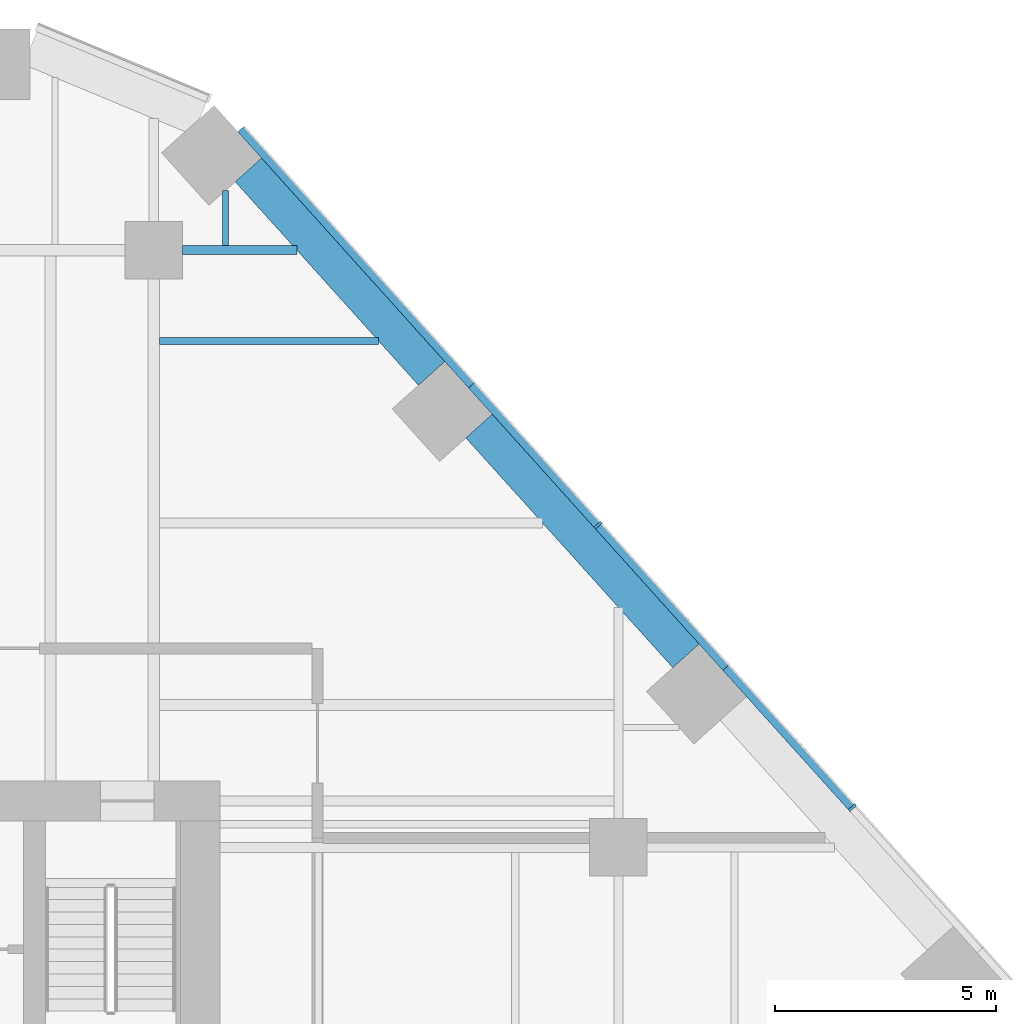
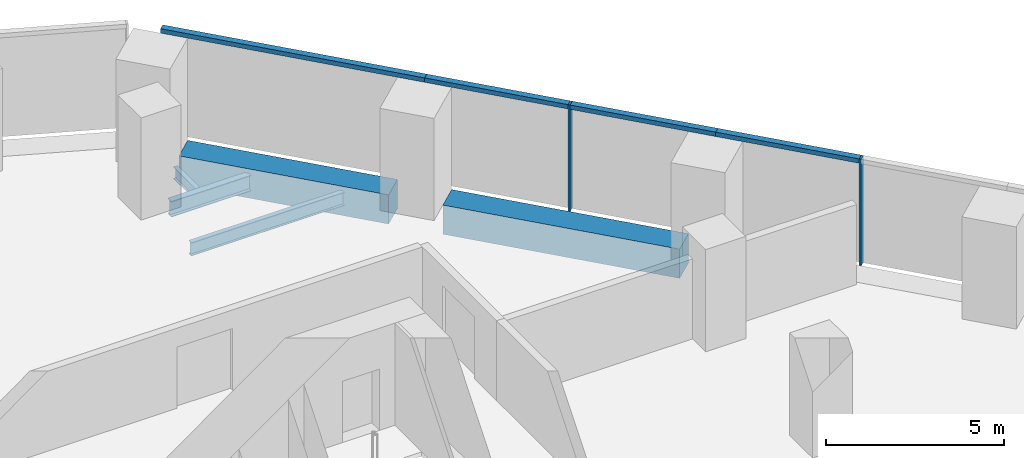
# One storey, part 10 of 19: 6 members, 5 beams, 1 element without a shape of its own.
"""IFC4 building model written with IfcOpenShell, lengths in metres."""

from ifc_helpers import new_model, si_unit, direction, frame, origin, origin_2d, place, context, subcontext, project, spatial, rectangle, i_section, extrude, material, layer, layer_set, material_profile, profile_set, type_object, element, aggregate, save


model = new_model("IFC4")

# Units and contexts
model_context = context("Model", 3, precision=1e-05, world=origin(), true_north=direction((0.0, 1.0)))
body_context = subcontext(model_context, "Body", "Model", "MODEL_VIEW")
ifc_project = project(units=[si_unit("LENGTHUNIT", "METRE"), si_unit("AREAUNIT", "SQUARE_METRE"), si_unit("VOLUMEUNIT", "CUBIC_METRE"), si_unit("PLANEANGLEUNIT", "RADIAN"), si_unit("MASSUNIT", "GRAM", prefix="KILO")], contexts=[model_context])

# Site, building, storey
site_placement = place(None, origin())
site = spatial("IfcSite", under=ifc_project, at=site_placement, CompositionType="ELEMENT")
building_placement = place(site_placement, origin())
building = spatial("IfcBuilding", under=site, at=building_placement, Name="Isthmus Gate Tower", CompositionType="ELEMENT")
storey_placement = place(building_placement, frame((0.0, 0.0, 91.60009765625)))
storey = spatial("IfcBuildingStorey", under=building, at=storey_placement, Name="L21", CompositionType="ELEMENT", Elevation=91.60009765625)

# Curtain wall, members
ifc_material_1 = material(Name="Aluminium, pale champagne anodised", Category="aluminium")
ifc_layer = layer(ifc_material_1, 0.199951171875)
ifc_layer_set = layer_set([ifc_layer], Name="CW-1 UNITISED CURTAIN WALL 200 DEEP")
curtain_wall_type = type_object("IfcCurtainWallType", Name="CW-1 UNITISED CURTAIN WALL 200 DEEP", PredefinedType="NOTDEFINED", material=ifc_layer_set)
curtain_wall_placement = place(storey_placement, origin())
curtain_wall = element("IfcCurtainWall", 1, at=curtain_wall_placement, inside=storey, type_object=curtain_wall_type, Name="CW-1 NE L21", PredefinedType="NOTDEFINED")
ifc_material_2 = material(Name="Aluminium, pale champagne anodised", Category="aluminium")
ifc_material_profile_1 = material_profile(ifc_material_2, rectangle(XDim=0.06005859375, YDim=0.199951171875, at=origin_2d()), Name="60x200")
ifc_profile_set_1 = profile_set([ifc_material_profile_1], Name="Aluminium, pale champagne anodised")
member_type_1 = type_object("IfcMemberType", Name="CW-1 MULLION 60 X 200", PredefinedType="MULLION", material=ifc_profile_set_1)
member_1_placement = place(storey_placement, frame((29.287841796875, 14.400146484375, 0.0), z_axis=(0.0, 0.0, 1.0), x_axis=(-0.669130606359, 0.743144825477, 0.0)))
member_1 = element("IfcMember", 2, at=member_1_placement, type_object=member_type_1, Name="CW-1 mullion", PredefinedType="MULLION", context=body_context, shape_type="SweptSolid", body=[
    extrude(rectangle(XDim=0.06005859375, YDim=0.199951171875, at=origin_2d()), origin(), (0.0, 0.0, 1.0), 3.64990234375),
])
member_2_placement = place(storey_placement, frame((23.54052734375, 20.783447265625, 0.0), z_axis=(0.0, 0.0, 1.0), x_axis=(-0.669130606359, 0.743144825477, 0.0)))
member_2 = element("IfcMember", 3, at=member_2_placement, type_object=member_type_1, Name="CW-1 mullion", PredefinedType="MULLION", context=body_context, shape_type="SweptSolid", body=[
    extrude(rectangle(XDim=0.06005859375, YDim=0.199951171875, at=origin_2d()), origin(), (0.0, 0.0, 1.0), 3.64990234375),
])
ifc_material_3 = material(Name="Aluminium, pale champagne anodised", Category="aluminium")
ifc_material_profile_2 = material_profile(ifc_material_3, rectangle(XDim=0.199951171875, YDim=0.14990234375, at=origin_2d()), Name="200x150")
ifc_profile_set_2 = profile_set([ifc_material_profile_2], Name="Aluminium, pale champagne anodised")
member_type_2 = type_object("IfcMemberType", Name="CW-1 TRANSOM 200 X 150", PredefinedType="USERDEFINED", material=ifc_profile_set_2)
member_3_placement = place(storey_placement, frame((29.267822265625, 14.422607421875, 3.574951171875), z_axis=(-0.669123979474, 0.743150792298, 0.0), x_axis=(-0.743150792298, -0.669123979474, 0.0)))
member_3 = element("IfcMember", 4, at=member_3_placement, type_object=member_type_2, Name="CW-1 transom", ObjectType="TRANSOM", PredefinedType="USERDEFINED", context=body_context, shape_type="SweptSolid", body=[
    extrude(rectangle(XDim=0.199951171875, YDim=0.14990234375, at=origin_2d()), origin(), (0.0, 0.0, 1.0), 4.234619140625),
])
member_4_placement = place(storey_placement, frame((26.434326171875, 17.569580078125, 3.574951171875), z_axis=(-0.669159437096, 0.743118865153, 0.0), x_axis=(-0.743118865153, -0.669159437096, 0.0)))
member_4 = element("IfcMember", 5, at=member_4_placement, type_object=member_type_2, Name="CW-1 transom", ObjectType="TRANSOM", PredefinedType="USERDEFINED", context=body_context, shape_type="SweptSolid", body=[
    extrude(rectangle(XDim=0.199951171875, YDim=0.14990234375, at=origin_2d()), origin(), (0.0, 0.0, 1.0), 4.294677734375),
])
member_5_placement = place(storey_placement, frame((23.520263671875, 20.8056640625, 3.574951171875), z_axis=(-0.669123979474, 0.743150792298, 0.0), x_axis=(-0.743150792298, -0.669123979474, 0.0)))
member_5 = element("IfcMember", 6, at=member_5_placement, type_object=member_type_2, Name="CW-1 transom", ObjectType="TRANSOM", PredefinedType="USERDEFINED", context=body_context, shape_type="SweptSolid", body=[
    extrude(rectangle(XDim=0.199951171875, YDim=0.14990234375, at=origin_2d()), origin(), (0.0, 0.0, 1.0), 4.234619140625),
])
member_6_placement = place(storey_placement, frame((20.686767578125, 23.95263671875, 3.574951171875), z_axis=(-0.669137878224, 0.743138277797, 0.0), x_axis=(-0.743138277797, -0.669137878224, 0.0)))
member_6 = element("IfcMember", 7, at=member_6_placement, type_object=member_type_2, Name="CW-1 transom", ObjectType="TRANSOM", PredefinedType="USERDEFINED", context=body_context, shape_type="SweptSolid", body=[
    extrude(rectangle(XDim=0.199951171875, YDim=0.14990234375, at=origin_2d()), origin(), (0.0, 0.0, 1.0), 7.789306640625),
])
aggregate(curtain_wall, [member_1, member_3, member_4, member_2, member_5, member_6])

# Beams
ifc_material_4 = material(Name="Concrete f'c 70 MPa", Category="concrete")
ifc_material_profile_3 = material_profile(ifc_material_4, rectangle(XDim=0.800048828125, YDim=1.0, at=origin_2d()), Name="RC 800X1000")
ifc_profile_set_3 = profile_set([ifc_material_profile_3], Name="Concrete f'c 70 MPa")
beam_type_1 = type_object("IfcBeamType", Name="RC SPANDREL 800 X 1000", PredefinedType="SPANDREL", material=ifc_profile_set_3)
beam_1_placement = place(storey_placement, frame((15.638427734375, 28.812255859375, -0.5), z_axis=(0.669139054219, -0.743137218903, 0.0), x_axis=(0.743137218903, 0.669139054219, 0.0)))
element("IfcBeam", 8, at=beam_1_placement, inside=storey, type_object=beam_type_1, Name="str-spandrel-L21-01", PredefinedType="SPANDREL", context=body_context, shape_type="SweptSolid", body=[
    extrude(rectangle(XDim=0.800048828125, YDim=1.0, at=origin_2d()), origin(), (0.0, 0.0, 1.0), 6.189453125),
])
beam_2_placement = place(storey_placement, frame((20.8505859375, 23.0234375, -0.5), z_axis=(0.669128753615, -0.743146493691, 0.0), x_axis=(0.743146493691, 0.669128753615, 0.0)))
element("IfcBeam", 9, at=beam_2_placement, inside=storey, type_object=beam_type_1, Name="str-spandrel-L21-02", PredefinedType="SPANDREL", context=body_context, shape_type="SweptSolid", body=[
    extrude(rectangle(XDim=0.800048828125, YDim=1.0, at=origin_2d()), origin(), (0.0, 0.0, 1.0), 6.9892578125),
])
ifc_material_5 = material(Name="Structural steel ASTM A992 Gr 50", Category="steel")
ifc_material_profile_4 = material_profile(ifc_material_5, i_section(OverallWidth=0.1396484375, OverallDepth=0.4033203125, WebThickness=0.00634765625, FlangeThickness=0.010986328125, at=origin_2d()), Name="W16X31")
ifc_profile_set_4 = profile_set([ifc_material_profile_4], Name="Structural steel ASTM A992 Gr 50")
beam_type_2 = type_object("IfcBeamType", Name="STEEL FLOOR BEAM W16X31", PredefinedType="JOIST", material=ifc_profile_set_4)
beam_3_placement = place(storey_placement, frame((15.12109375, 27.104736328125, -0.351806640625), z_axis=(0.0, 1.0, 0.0), x_axis=(-1.0, 0.0, 0.0)))
element("IfcBeam", 10, at=beam_3_placement, inside=storey, type_object=beam_type_2, Name="str-beam-L21-25-00", PredefinedType="JOIST", context=body_context, shape_type="SweptSolid", body=[
    extrude(i_section(OverallWidth=0.1396484375, OverallDepth=0.4033203125, WebThickness=0.00634765625, FlangeThickness=0.010986328125, at=origin_2d()), origin(), (0.0, 0.0, 1.0), 1.24169921875),
])
ifc_material_6 = material(Name="Structural steel ASTM A992 Gr 50", Category="steel")
ifc_material_profile_5 = material_profile(ifc_material_6, i_section(OverallWidth=0.15234375, OverallDepth=0.45068359375, WebThickness=0.0078125, FlangeThickness=0.010986328125, at=origin_2d()), Name="W18X35")
ifc_profile_set_5 = profile_set([ifc_material_profile_5], Name="Structural steel ASTM A992 Gr 50")
beam_type_3 = type_object("IfcBeamType", Name="STEEL FLOOR BEAM W18X35", PredefinedType="JOIST", material=ifc_profile_set_5)
beam_4_placement = place(storey_placement, frame((13.626953125, 24.944091796875, -0.37548828125), z_axis=(1.0, 0.0, 0.0), x_axis=(0.0, 1.0, 0.0)))
element("IfcBeam", 11, at=beam_4_placement, inside=storey, type_object=beam_type_3, Name="str-beam-L21-26-02", PredefinedType="JOIST", context=body_context, shape_type="SweptSolid", body=[
    extrude(i_section(OverallWidth=0.15234375, OverallDepth=0.45068359375, WebThickness=0.0078125, FlangeThickness=0.010986328125, at=origin_2d()), origin(), (0.0, 0.0, 1.0), 4.9560546875),
])
ifc_material_7 = material(Name="Structural steel ASTM A992 Gr 50", Category="steel")
ifc_material_profile_6 = material_profile(ifc_material_7, i_section(OverallWidth=0.20947265625, OverallDepth=0.533447265625, WebThickness=0.009521484375, FlangeThickness=0.015869140625, at=origin_2d()), Name="W21X62")
ifc_profile_set_6 = profile_set([ifc_material_profile_6], Name="Structural steel ASTM A992 Gr 50")
beam_type_4 = type_object("IfcBeamType", Name="STEEL GIRDER W21X62", PredefinedType="BEAM", material=ifc_profile_set_6)
beam_5_placement = place(storey_placement, frame((14.14990234375, 27.0, -0.416748046875), z_axis=(1.0, 0.0, 0.0), x_axis=(0.0, 1.0, 0.0)))
element("IfcBeam", 12, at=beam_5_placement, inside=storey, type_object=beam_type_4, Name="str-girder-L21-20", PredefinedType="BEAM", context=body_context, shape_type="SweptSolid", body=[
    extrude(i_section(OverallWidth=0.20947265625, OverallDepth=0.533447265625, WebThickness=0.009521484375, FlangeThickness=0.015869140625, at=origin_2d()), origin(), (0.0, 0.0, 1.0), 2.58203125),
])

save(model, "model.ifc")
